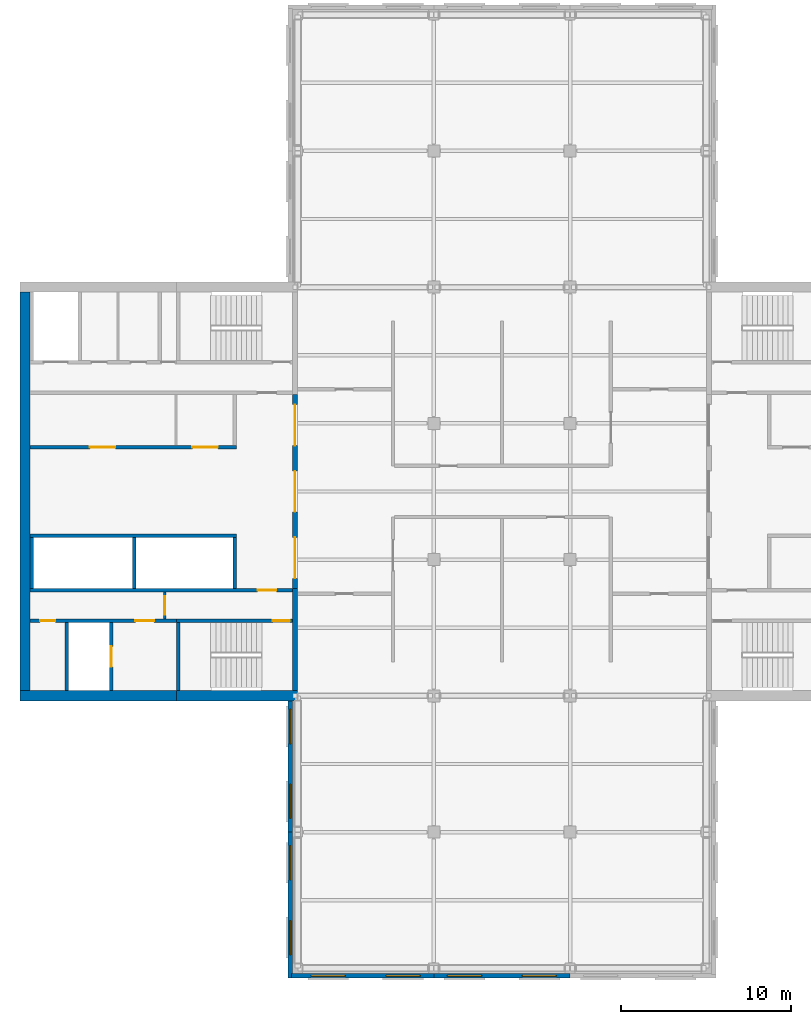
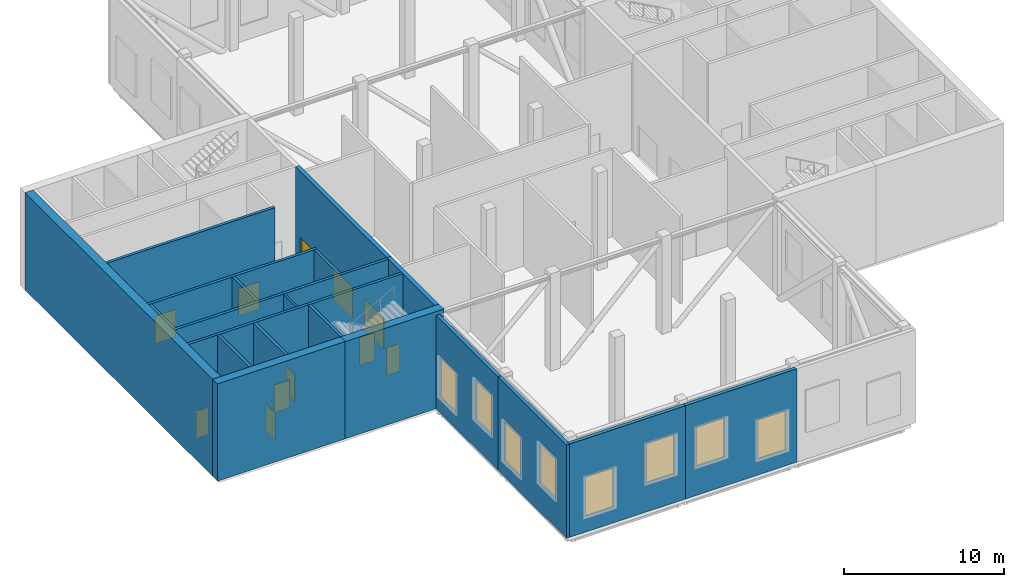
# One storey, part 3 of 10: 21 walls, 11 doors, 8 windows, 19 openings.
"""IFC4 building model written with IfcOpenShell, lengths in metres."""

from ifc_helpers import new_model, si_unit, direction, frame, frame_2d, origin, place, context, subcontext, project, spatial, rectangle, extrude, material, layer, layer_set, constituent, constituent_set, type_object, element, fill, save


model = new_model("IFC4")

# Units and contexts
model_context = context("Model", 3, precision=1e-05, world=origin(), true_north=direction((0.0, 1.0)))
body_context = subcontext(model_context, "Body", "Model", "MODEL_VIEW")
ifc_project = project(units=[si_unit("LENGTHUNIT", "METRE"), si_unit("AREAUNIT", "SQUARE_METRE"), si_unit("VOLUMEUNIT", "CUBIC_METRE"), si_unit("PLANEANGLEUNIT", "RADIAN"), si_unit("MASSUNIT", "GRAM", prefix="KILO")], contexts=[model_context])

# Site, building, storey
site_placement = place(None, origin())
site = spatial("IfcSite", under=ifc_project, at=site_placement, CompositionType="ELEMENT")
building_placement = place(site_placement, origin())
building = spatial("IfcBuilding", under=site, at=building_placement, Name="Crosswind Convention Tower", CompositionType="ELEMENT")
storey_placement = place(building_placement, frame((0.0, 0.0, 237.699951171875)))
storey = spatial("IfcBuildingStorey", under=building, at=storey_placement, Name="L51", CompositionType="ELEMENT", Elevation=237.699951171875)

# Wall, openings, doors
ifc_material_1 = material(Name="Concrete C50/60", Category="concrete")
ifc_layer_1 = layer(ifc_material_1, 0.300048828125)
ifc_layer_set_1 = layer_set([ifc_layer_1], Name="Concrete C50/60")
wall_type_1 = type_object("IfcWallType", Name="Concrete inner core wall 300", PredefinedType="SHEAR", material=ifc_layer_set_1)
wall_1_placement = place(storey_placement, frame((112.85009765625, 105.699951171875, 0.0), z_axis=(0.0, 0.0, 1.0), x_axis=(0.0, -1.0, 0.0)))
wall_1 = element("IfcWall", 1, at=wall_1_placement, inside=storey, type_object=wall_type_1, Name="Wall SCR W L51", PredefinedType="SHEAR", context=body_context, shape_type="SweptSolid", body=[
    extrude(rectangle(XDim=11.39990234375, YDim=0.300048828125, at=frame_2d((5.699951171875, 0.0))), origin(), (0.0, 0.0, 1.0), 7.400146484375),
])
opening_1_placement = place(wall_1_placement, frame((0.60009765625, 0.0, 0.0)))
opening_1 = element("IfcOpeningElement", 2, at=opening_1_placement, cuts=wall_1, Name="Opening D100", PredefinedType="OPENING", context=body_context, shape_type="SweptSolid", body=[
    extrude(rectangle(XDim=2.39990234375, YDim=2.39990234375, at=frame_2d((1.199951171875, 1.199951171875))), frame((0.0, 0.159912109375, 0.0), z_axis=(0.0, -1.0, 0.0), x_axis=(1.0, 0.0, 0.0)), (0.0, 0.0, 1.0), 0.320068359375),
])
opening_2_placement = place(wall_1_placement, frame((4.5, 0.0, 0.0)))
opening_2 = element("IfcOpeningElement", 3, at=opening_2_placement, cuts=wall_1, Name="Opening D100", PredefinedType="OPENING", context=body_context, shape_type="SweptSolid", body=[
    extrude(rectangle(XDim=2.39990234375, YDim=2.39990234375, at=frame_2d((1.199951171875, 1.199951171875))), frame((0.0, 0.159912109375, 0.0), z_axis=(0.0, -1.0, 0.0), x_axis=(1.0, 0.0, 0.0)), (0.0, 0.0, 1.0), 0.320068359375),
])
opening_3_placement = place(wall_1_placement, frame((8.39990234375, 0.0, 0.0)))
opening_3 = element("IfcOpeningElement", 4, at=opening_3_placement, cuts=wall_1, Name="Opening D100", PredefinedType="OPENING", context=body_context, shape_type="SweptSolid", body=[
    extrude(rectangle(XDim=2.39990234375, YDim=2.39990234375, at=frame_2d((1.199951171875, 1.199951171875))), frame((0.0, 0.159912109375, 0.0), z_axis=(0.0, -1.0, 0.0), x_axis=(1.0, 0.0, 0.0)), (0.0, 0.0, 1.0), 0.320068359375),
])
ifc_material_2 = material(Name="Steel fire door with glazed vision panels", Category="steel")
door_type_1 = type_object("IfcDoorType", Name="Fire-rated double door 2400x2400", OperationType="DOUBLE_DOOR_SINGLE_SWING", PredefinedType="DOOR", material=ifc_material_2)
door_1_placement = place(opening_1_placement, origin())
door_1 = element("IfcDoor", 5, at=door_1_placement, inside=storey, type_object=door_type_1, Name="Lobby door 1 L51", ObjectType="D100", OperationType="DOUBLE_DOOR_SINGLE_SWING", OverallHeight=2.39990234375, OverallWidth=2.39990234375, PredefinedType="DOOR", context=body_context, shape_type="SweptSolid", body=[
    extrude(rectangle(XDim=2.39990234375, YDim=2.39990234375, at=frame_2d((1.199951171875, 1.199951171875))), frame((0.0, 0.02490234375, 0.0), z_axis=(0.0, -1.0, 0.0), x_axis=(1.0, 0.0, 0.0)), (0.0, 0.0, 1.0), 0.050048828125),
])
fill(opening_1, door_1)
door_2_placement = place(opening_2_placement, origin())
door_2 = element("IfcDoor", 6, at=door_2_placement, inside=storey, type_object=door_type_1, Name="Lobby door 2 L51", ObjectType="D100", OperationType="DOUBLE_DOOR_SINGLE_SWING", OverallHeight=2.39990234375, OverallWidth=2.39990234375, PredefinedType="DOOR", context=body_context, shape_type="SweptSolid", body=[
    extrude(rectangle(XDim=2.39990234375, YDim=2.39990234375, at=frame_2d((1.199951171875, 1.199951171875))), frame((0.0, 0.02490234375, 0.0), z_axis=(0.0, -1.0, 0.0), x_axis=(1.0, 0.0, 0.0)), (0.0, 0.0, 1.0), 0.050048828125),
])
fill(opening_2, door_2)
door_3_placement = place(opening_3_placement, origin())
door_3 = element("IfcDoor", 7, at=door_3_placement, inside=storey, type_object=door_type_1, Name="Lobby door 3 L51", ObjectType="D100", OperationType="DOUBLE_DOOR_SINGLE_SWING", OverallHeight=2.39990234375, OverallWidth=2.39990234375, PredefinedType="DOOR", context=body_context, shape_type="SweptSolid", body=[
    extrude(rectangle(XDim=2.39990234375, YDim=2.39990234375, at=frame_2d((1.199951171875, 1.199951171875))), frame((0.0, 0.02490234375, 0.0), z_axis=(0.0, -1.0, 0.0), x_axis=(1.0, 0.0, 0.0)), (0.0, 0.0, 1.0), 0.050048828125),
])
fill(opening_3, door_3)

# Walls
wall_2_placement = place(storey_placement, frame((112.85009765625, 94.300048828125, 0.0), z_axis=(0.0, 0.0, 1.0), x_axis=(0.0, -1.0, 0.0)))
element("IfcWall", 8, at=wall_2_placement, inside=storey, type_object=wall_type_1, Name="Wall EP W L51", PredefinedType="SHEAR", context=body_context, shape_type="SweptSolid", body=[
    extrude(rectangle(XDim=6.0, YDim=0.300048828125, at=frame_2d((3.0, 0.0))), origin(), (0.0, 0.0, 1.0), 7.400146484375),
])
ifc_layer_2 = layer(ifc_material_1, 0.199951171875)
ifc_layer_set_2 = layer_set([ifc_layer_2], Name="Concrete C50/60")
wall_type_2 = type_object("IfcWallType", Name="Concrete shaft and stair wall 200", PredefinedType="SHEAR", material=ifc_layer_set_2)
for number, where, z_axis, x_axis, name in (
    (9, (109.300048828125, 97.300048828125, 0.0), (0.0, 0.0, 1.0), (0.0, -1.0, 0.0), "Wall RPEND W L51"),
    (10, (103.39990234375, 97.300048828125, 0.0), (0.0, 0.0, 1.0), (0.0, -1.0, 0.0), "Wall RPSEP W L51"),
    (11, (97.39990234375, 97.300048828125, 0.0), (0.0, 0.0, 1.0), (0.0, -1.0, 0.0), "Wall RPEAST W L51"),
):
    element("IfcWall", number, at=place(storey_placement, frame(where, z_axis=z_axis, x_axis=x_axis)), inside=storey, type_object=wall_type_2, Name=name, PredefinedType="SHEAR", context=body_context, shape_type="SweptSolid", body=[
        extrude(rectangle(XDim=3.0, YDim=0.199951171875, at=frame_2d((1.5, 0.0))), origin(), (0.0, 0.0, 1.0), 7.400146484375),
    ])
wall_3_placement = place(storey_placement, frame((109.39990234375, 97.39990234375, 0.0), z_axis=(0.0, 0.0, 1.0), x_axis=(-1.0, 0.0, 0.0)))
element("IfcWall", 12, at=wall_3_placement, inside=storey, type_object=wall_type_2, Name="Wall RPFRONT W L51", PredefinedType="SHEAR", context=body_context, shape_type="SweptSolid", body=[
    extrude(rectangle(XDim=12.099853515625, YDim=0.199951171875, at=frame_2d((6.0498046875, 0.0))), origin(), (0.0, 0.0, 1.0), 7.400146484375),
])

# Wall, openings, doors
wall_4_placement = place(storey_placement, frame((109.39990234375, 102.60009765625, 0.0), z_axis=(0.0, 0.0, 1.0), x_axis=(-1.0, 0.0, 0.0)))
wall_4 = element("IfcWall", 13, at=wall_4_placement, inside=storey, type_object=wall_type_2, Name="Wall RMFRONT W L51", PredefinedType="SHEAR", context=body_context, shape_type="SweptSolid", body=[
    extrude(rectangle(XDim=12.099853515625, YDim=0.199951171875, at=frame_2d((6.0498046875, 0.0))), origin(), (0.0, 0.0, 1.0), 7.400146484375),
])
opening_4_placement = place(wall_4_placement, frame((1.084716796875, 0.0, 0.0)))
opening_4 = element("IfcOpeningElement", 14, at=opening_4_placement, cuts=wall_4, Name="Opening D108", PredefinedType="OPENING", context=body_context, shape_type="SweptSolid", body=[
    extrude(rectangle(XDim=1.5, YDim=2.10009765625, at=frame_2d((0.75, 1.050048828125))), frame((0.0, 0.10986328125, 0.0), z_axis=(0.0, -1.0, 0.0), x_axis=(1.0, 0.0, 0.0)), (0.0, 0.0, 1.0), 0.219970703125),
])
opening_5_placement = place(wall_4_placement, frame((7.09716796875, 0.0, 0.0)))
opening_5 = element("IfcOpeningElement", 15, at=opening_5_placement, cuts=wall_4, Name="Opening D108", PredefinedType="OPENING", context=body_context, shape_type="SweptSolid", body=[
    extrude(rectangle(XDim=1.5, YDim=2.10009765625, at=frame_2d((0.75, 1.050048828125))), frame((0.0, 0.10986328125, 0.0), z_axis=(0.0, -1.0, 0.0), x_axis=(1.0, 0.0, 0.0)), (0.0, 0.0, 1.0), 0.219970703125),
])
ifc_material_3 = material(Name="Steel fire door", Category="steel")
door_type_2 = type_object("IfcDoorType", Name="Plant room double door 1500x2100", OperationType="DOUBLE_DOOR_SINGLE_SWING", PredefinedType="DOOR", material=ifc_material_3)
door_4_placement = place(opening_4_placement, frame((1.5, 0.0, 0.0), z_axis=(0.0, 0.0, 1.0), x_axis=(-1.0, 0.0, 0.0)))
door_4 = element("IfcDoor", 16, at=door_4_placement, inside=storey, type_object=door_type_2, Name="Door to plant room L51", ObjectType="D108", OperationType="DOUBLE_DOOR_SINGLE_SWING", OverallHeight=2.10009765625, OverallWidth=1.5, PredefinedType="DOOR", context=body_context, shape_type="SweptSolid", body=[
    extrude(rectangle(XDim=1.5, YDim=2.10009765625, at=frame_2d((0.75, 1.050048828125))), frame((0.0, 0.02490234375, 0.0), z_axis=(0.0, -1.0, 0.0), x_axis=(1.0, 0.0, 0.0)), (0.0, 0.0, 1.0), 0.050048828125),
])
fill(opening_4, door_4)
door_5_placement = place(opening_5_placement, frame((1.5, 0.0, 0.0), z_axis=(0.0, 0.0, 1.0), x_axis=(-1.0, 0.0, 0.0)))
door_5 = element("IfcDoor", 17, at=door_5_placement, inside=storey, type_object=door_type_2, Name="Door to electrical plant room L51", ObjectType="D108", OperationType="DOUBLE_DOOR_SINGLE_SWING", OverallHeight=2.10009765625, OverallWidth=1.5, PredefinedType="DOOR", context=body_context, shape_type="SweptSolid", body=[
    extrude(rectangle(XDim=1.5, YDim=2.10009765625, at=frame_2d((0.75, 1.050048828125))), frame((0.0, 0.02490234375, 0.0), z_axis=(0.0, -1.0, 0.0), x_axis=(1.0, 0.0, 0.0)), (0.0, 0.0, 1.0), 0.050048828125),
])
fill(opening_5, door_5)

# Wall, opening, door
wall_5_placement = place(storey_placement, frame((112.699951171875, 94.199951171875, 0.0), z_axis=(0.0, 0.0, 1.0), x_axis=(-1.0, 0.0, 0.0)))
wall_5 = element("IfcWall", 18, at=wall_5_placement, inside=storey, type_object=wall_type_2, Name="Wall HP W L51", PredefinedType="SHEAR", context=body_context, shape_type="SweptSolid", body=[
    extrude(rectangle(XDim=15.39990234375, YDim=0.199951171875, at=frame_2d((7.699951171875, 0.0))), origin(), (0.0, 0.0, 1.0), 7.400146484375),
])
opening_6_placement = place(wall_5_placement, frame((0.949951171875, 0.0, 0.0)))
opening_6 = element("IfcOpeningElement", 19, at=opening_6_placement, cuts=wall_5, Name="Opening D104", PredefinedType="OPENING", context=body_context, shape_type="SweptSolid", body=[
    extrude(rectangle(XDim=1.10009765625, YDim=2.10009765625, at=frame_2d((0.550048828125, 1.050048828125))), frame((0.0, 0.10986328125, 0.0), z_axis=(0.0, -1.0, 0.0), x_axis=(1.0, 0.0, 0.0)), (0.0, 0.0, 1.0), 0.219970703125),
])
door_type_3 = type_object("IfcDoorType", Name="Fire-rated single door 1100x2100", OperationType="NOTDEFINED", PredefinedType="DOOR", material=ifc_material_3)
door_6_placement = place(opening_6_placement, origin())
door_6 = element("IfcDoor", 20, at=door_6_placement, inside=storey, type_object=door_type_3, Name="Corridor door L51", ObjectType="D104", OperationType="SINGLE_SWING_LEFT", OverallHeight=2.10009765625, OverallWidth=1.10009765625, PredefinedType="DOOR", context=body_context, shape_type="SweptSolid", body=[
    extrude(rectangle(XDim=1.10009765625, YDim=2.10009765625, at=frame_2d((0.550048828125, 1.050048828125))), frame((0.0, 0.02490234375, 0.0), z_axis=(0.0, -1.0, 0.0), x_axis=(1.0, 0.0, 0.0)), (0.0, 0.0, 1.0), 0.050048828125),
])
fill(opening_6, door_6)

# Wall
wall_6_placement = place(storey_placement, frame((106.0, 92.300048828125, 0.0), z_axis=(0.0, 0.0, 1.0), x_axis=(0.0, -1.0, 0.0)))
element("IfcWall", 21, at=wall_6_placement, inside=storey, type_object=wall_type_2, Name="Wall PSE W L51", PredefinedType="SHEAR", context=body_context, shape_type="SweptSolid", body=[
    extrude(rectangle(XDim=4.0, YDim=0.199951171875, at=frame_2d((2.0, 0.0))), origin(), (0.0, 0.0, 1.0), 7.400146484375),
])

# Wall, opening, door
wall_7_placement = place(storey_placement, frame((102.050048828125, 92.300048828125, 0.0), z_axis=(0.0, 0.0, 1.0), x_axis=(0.0, -1.0, 0.0)))
wall_7 = element("IfcWall", 22, at=wall_7_placement, inside=storey, type_object=wall_type_2, Name="Wall PFLW W L51", PredefinedType="SHEAR", context=body_context, shape_type="SweptSolid", body=[
    extrude(rectangle(XDim=4.0, YDim=0.199951171875, at=frame_2d((2.0, 0.0))), origin(), (0.0, 0.0, 1.0), 7.400146484375),
])
opening_7_placement = place(wall_7_placement, frame((1.39990234375, 0.0, 0.0)))
opening_7 = element("IfcOpeningElement", 23, at=opening_7_placement, cuts=wall_7, Name="Opening LD1", PredefinedType="OPENING", context=body_context, shape_type="SweptSolid", body=[
    extrude(rectangle(XDim=1.199951171875, YDim=2.10009765625, at=frame_2d((0.60009765625, 1.050048828125))), frame((0.0, 0.10986328125, 0.0), z_axis=(0.0, -1.0, 0.0), x_axis=(1.0, 0.0, 0.0)), (0.0, 0.0, 1.0), 0.219970703125),
])
ifc_material_4 = material(Name="Stainless steel", Category="steel")
door_type_4 = type_object("IfcDoorType", Name="Lift landing door 1200x2100", OperationType="DOUBLE_DOOR_SLIDING", PredefinedType="DOOR", material=ifc_material_4)
door_7_placement = place(opening_7_placement, origin())
door_7 = element("IfcDoor", 24, at=door_7_placement, inside=storey, type_object=door_type_4, Name="Landing door FF2 L51", ObjectType="LD1", OperationType="DOUBLE_DOOR_SLIDING", OverallHeight=2.10009765625, OverallWidth=1.199951171875, PredefinedType="DOOR", context=body_context, shape_type="SweptSolid", body=[
    extrude(rectangle(XDim=1.199951171875, YDim=2.10009765625, at=frame_2d((0.60009765625, 1.050048828125))), frame((0.0, 0.02490234375, 0.0), z_axis=(0.0, -1.0, 0.0), x_axis=(1.0, 0.0, 0.0)), (0.0, 0.0, 1.0), 0.050048828125),
])
fill(opening_7, door_7)

# Wall
wall_8_placement = place(storey_placement, frame((99.449951171875, 92.300048828125, 0.0), z_axis=(0.0, 0.0, 1.0), x_axis=(0.0, -1.0, 0.0)))
element("IfcWall", 25, at=wall_8_placement, inside=storey, type_object=wall_type_2, Name="Wall PFSE W L51", PredefinedType="SHEAR", context=body_context, shape_type="SweptSolid", body=[
    extrude(rectangle(XDim=4.0, YDim=0.199951171875, at=frame_2d((2.0, 0.0))), origin(), (0.0, 0.0, 1.0), 7.400146484375),
])

# Wall, opening, door
wall_9_placement = place(storey_placement, frame((112.699951171875, 92.39990234375, 0.0), z_axis=(0.0, 0.0, 1.0), x_axis=(-1.0, 0.0, 0.0)))
wall_9 = element("IfcWall", 26, at=wall_9_placement, inside=storey, type_object=wall_type_2, Name="Wall PCW W L51", PredefinedType="SHEAR", context=body_context, shape_type="SweptSolid", body=[
    extrude(rectangle(XDim=6.800048828125, YDim=0.199951171875, at=frame_2d((3.39990234375, 0.0))), origin(), (0.0, 0.0, 1.0), 7.400146484375),
])
opening_8_placement = place(wall_9_placement, frame((0.14990234375, 0.0, 0.0)))
opening_8 = element("IfcOpeningElement", 27, at=opening_8_placement, cuts=wall_9, Name="Opening D103", PredefinedType="OPENING", context=body_context, shape_type="SweptSolid", body=[
    extrude(rectangle(XDim=1.0, YDim=2.10009765625, at=frame_2d((0.5, 1.050048828125))), frame((0.0, 0.10986328125, 0.0), z_axis=(0.0, -1.0, 0.0), x_axis=(1.0, 0.0, 0.0)), (0.0, 0.0, 1.0), 0.219970703125),
])
door_type_5 = type_object("IfcDoorType", Name="Fire-rated single door 1000x2100", OperationType="NOTDEFINED", PredefinedType="DOOR", material=ifc_material_3)
door_8_placement = place(opening_8_placement, origin())
door_8 = element("IfcDoor", 28, at=door_8_placement, inside=storey, type_object=door_type_5, Name="Stair ST3 door L51", ObjectType="D103", OperationType="SINGLE_SWING_LEFT", OverallHeight=2.10009765625, OverallWidth=1.0, PredefinedType="DOOR", context=body_context, shape_type="SweptSolid", body=[
    extrude(rectangle(XDim=1.0, YDim=2.10009765625, at=frame_2d((0.5, 1.050048828125))), frame((0.0, 0.02490234375, 0.0), z_axis=(0.0, -1.0, 0.0), x_axis=(1.0, 0.0, 0.0)), (0.0, 0.0, 1.0), 0.050048828125),
])
fill(opening_8, door_8)

# Wall, openings, doors
wall_10_placement = place(storey_placement, frame((105.89990234375, 92.39990234375, 0.0), z_axis=(0.0, 0.0, 1.0), x_axis=(-1.0, 0.0, 0.0)))
wall_10 = element("IfcWall", 29, at=wall_10_placement, inside=storey, type_object=wall_type_2, Name="Wall PCX W L51", PredefinedType="SHEAR", context=body_context, shape_type="SweptSolid", body=[
    extrude(rectangle(XDim=8.599853515625, YDim=0.199951171875, at=frame_2d((4.2998046875, 0.0))), origin(), (0.0, 0.0, 1.0), 7.400146484375),
])
opening_9_placement = place(wall_10_placement, frame((1.324951171875, 0.0, 0.0)))
opening_9 = element("IfcOpeningElement", 30, at=opening_9_placement, cuts=wall_10, Name="Opening D104", PredefinedType="OPENING", context=body_context, shape_type="SweptSolid", body=[
    extrude(rectangle(XDim=1.10009765625, YDim=2.10009765625, at=frame_2d((0.550048828125, 1.050048828125))), frame((0.0, 0.10986328125, 0.0), z_axis=(0.0, -1.0, 0.0), x_axis=(1.0, 0.0, 0.0)), (0.0, 0.0, 1.0), 0.219970703125),
])
opening_10_placement = place(wall_10_placement, frame((7.125, 0.0, 0.0)))
opening_10 = element("IfcOpeningElement", 31, at=opening_10_placement, cuts=wall_10, Name="Opening D106", PredefinedType="OPENING", context=body_context, shape_type="SweptSolid", body=[
    extrude(rectangle(XDim=0.89990234375, YDim=2.10009765625, at=frame_2d((0.449951171875, 1.050048828125))), frame((0.0, 0.10986328125, 0.0), z_axis=(0.0, -1.0, 0.0), x_axis=(1.0, 0.0, 0.0)), (0.0, 0.0, 1.0), 0.219970703125),
])
door_9_placement = place(opening_9_placement, origin())
door_9 = element("IfcDoor", 32, at=door_9_placement, inside=storey, type_object=door_type_3, Name="Fire-fighting lobby FF2 door L51", ObjectType="D104", OperationType="SINGLE_SWING_RIGHT", OverallHeight=2.10009765625, OverallWidth=1.10009765625, PredefinedType="DOOR", context=body_context, shape_type="SweptSolid", body=[
    extrude(rectangle(XDim=1.10009765625, YDim=2.10009765625, at=frame_2d((0.550048828125, 1.050048828125))), frame((0.0, 0.02490234375, 0.0), z_axis=(0.0, -1.0, 0.0), x_axis=(1.0, 0.0, 0.0)), (0.0, 0.0, 1.0), 0.050048828125),
])
fill(opening_9, door_9)
ifc_material_5 = material(Name="Timber door", Category="wood")
door_type_6 = type_object("IfcDoorType", Name="Single leaf door 900x2100", OperationType="NOTDEFINED", PredefinedType="DOOR", material=ifc_material_5)
door_10_placement = place(opening_10_placement, origin())
door_10 = element("IfcDoor", 33, at=door_10_placement, inside=storey, type_object=door_type_6, Name="Door to pump room L51", ObjectType="D106", OperationType="SINGLE_SWING_RIGHT", OverallHeight=2.10009765625, OverallWidth=0.89990234375, PredefinedType="DOOR", context=body_context, shape_type="SweptSolid", body=[
    extrude(rectangle(XDim=0.89990234375, YDim=2.10009765625, at=frame_2d((0.449951171875, 1.050048828125))), frame((0.0, 0.02490234375, 0.0), z_axis=(0.0, -1.0, 0.0), x_axis=(1.0, 0.0, 0.0)), (0.0, 0.0, 1.0), 0.050048828125),
])
fill(opening_10, door_10)

# Wall, opening, door
ifc_material_6 = material(Name="Gypsum plasterboard partition", Category="gypsum")
ifc_layer_3 = layer(ifc_material_6, 0.125)
ifc_layer_set_3 = layer_set([ifc_layer_3], Name="Drywall partition wall 125")
wall_type_3 = type_object("IfcWallType", Name="Drywall partition wall 125", PredefinedType="PARTITIONING", material=ifc_layer_set_3)
wall_11_placement = place(storey_placement, frame((105.199951171875, 94.10009765625, 0.0), z_axis=(0.0, 0.0, 1.0), x_axis=(0.0, -1.0, 0.0)))
wall_11 = element("IfcWall", 34, at=wall_11_placement, inside=storey, type_object=wall_type_3, Name="Wall PXC1 W L51", PredefinedType="PARTITIONING", context=body_context, shape_type="SweptSolid", body=[
    extrude(rectangle(XDim=1.60009765625, YDim=0.125, at=frame_2d((0.800048828125, 0.0))), origin(), (0.0, 0.0, 1.0), 7.400146484375),
])
opening_11_placement = place(wall_11_placement, frame((0.25, 0.0, 0.0)))
opening_11 = element("IfcOpeningElement", 35, at=opening_11_placement, cuts=wall_11, Name="Opening D104", PredefinedType="OPENING", context=body_context, shape_type="SweptSolid", body=[
    extrude(rectangle(XDim=1.10009765625, YDim=2.10009765625, at=frame_2d((0.550048828125, 1.050048828125))), frame((0.0, 0.072509765625, 0.0), z_axis=(0.0, -1.0, 0.0), x_axis=(1.0, 0.0, 0.0)), (0.0, 0.0, 1.0), 0.14501953125),
])
door_11_placement = place(opening_11_placement, origin())
door_11 = element("IfcDoor", 36, at=door_11_placement, inside=storey, type_object=door_type_3, Name="Corridor smoke door L51", ObjectType="D104", OperationType="SINGLE_SWING_RIGHT", OverallHeight=2.10009765625, OverallWidth=1.10009765625, PredefinedType="DOOR", context=body_context, shape_type="SweptSolid", body=[
    extrude(rectangle(XDim=1.10009765625, YDim=2.10009765625, at=frame_2d((0.550048828125, 1.050048828125))), frame((0.0, 0.02490234375, 0.0), z_axis=(0.0, -1.0, 0.0), x_axis=(1.0, 0.0, 0.0)), (0.0, 0.0, 1.0), 0.050048828125),
])
fill(opening_11, door_11)

# Wall, openings, windows
ifc_material_7 = material(Name="Terracotta rainscreen", Category="ceramic")
ifc_layer_4 = layer(ifc_material_7, 0.02001953125)
ifc_material_8 = material(Name="Mineral wool insulation", Category="insulation")
ifc_layer_5 = layer(ifc_material_8, 0.10009765625)
ifc_material_9 = material(Name="Steel S355", Category="steel")
ifc_layer_6 = layer(ifc_material_9, 0.139892578125)
ifc_layer_set_4 = layer_set([ifc_layer_4, ifc_layer_5, ifc_layer_6], Name="Terracotta rainscreen, Mineral wool insulation, Steel S355")
wall_type_4 = type_object("IfcWallType", Name="TERRACOTTA PLANT WALL 260", PredefinedType="SOLIDWALL", material=ifc_layer_set_4)
wall_12_placement = place(storey_placement, frame((112.56494140625, 87.699951171875, 0.0), z_axis=(0.0, 0.0, 1.0), x_axis=(0.0, -1.0, 0.0)))
wall_12 = element("IfcWall", 37, at=wall_12_placement, inside=storey, type_object=wall_type_4, Name="Plant room wall L51 S-W.1-1", PredefinedType="SOLIDWALL", context=body_context, shape_type="SweptSolid", body=[
    extrude(rectangle(XDim=7.699951171875, YDim=0.260009765625, at=frame_2d((3.85009765625, 0.0))), origin(), (0.0, 0.0, 1.0), 7.10009765625),
])
opening_12_placement = place(wall_12_placement, frame((0.5, 0.0, 1.199951171875)))
opening_12 = element("IfcOpeningElement", 38, at=opening_12_placement, cuts=wall_12, Name="Opening W11", PredefinedType="OPENING", context=body_context, shape_type="SweptSolid", body=[
    extrude(rectangle(XDim=2.0, YDim=3.0, at=frame_2d((1.0, 1.5))), frame((0.0, 0.139892578125, 0.0), z_axis=(0.0, -1.0, 0.0), x_axis=(1.0, 0.0, 0.0)), (0.0, 0.0, 1.0), 0.280029296875),
])
opening_13_placement = place(wall_12_placement, frame((4.89990234375, 0.0, 2.199951171875)))
opening_13 = element("IfcOpeningElement", 39, at=opening_13_placement, cuts=wall_12, Name="Opening W11", PredefinedType="OPENING", context=body_context, shape_type="SweptSolid", body=[
    extrude(rectangle(XDim=2.0, YDim=3.0, at=frame_2d((1.0, 1.5))), frame((0.0, 0.139892578125, 0.0), z_axis=(0.0, -1.0, 0.0), x_axis=(1.0, 0.0, 0.0)), (0.0, 0.0, 1.0), 0.280029296875),
])
ifc_material_10 = material(Name="Aluminium louvre", Category="aluminium")
window_type = type_object("IfcWindowType", Name="LOUVRE VENT 2000X3000", PartitioningType="SINGLE_PANEL", PredefinedType="WINDOW", material=ifc_material_10)
window_1_placement = place(opening_12_placement, origin())
window_1 = element("IfcWindow", 40, at=window_1_placement, inside=storey, type_object=window_type, Name="W11 louvre vent L51 S-W.1-1.1", ObjectType="W11", OverallHeight=3.0, OverallWidth=2.0, PartitioningType="SINGLE_PANEL", PredefinedType="WINDOW", context=body_context, shape_type="SweptSolid", body=[
    extrude(rectangle(XDim=2.0, YDim=3.0, at=frame_2d((1.0, 1.5))), frame((0.0, 0.030029296875, 0.0), z_axis=(0.0, -1.0, 0.0), x_axis=(1.0, 0.0, 0.0)), (0.0, 0.0, 1.0), 0.06005859375),
])
fill(opening_12, window_1)
window_2_placement = place(opening_13_placement, origin())
window_2 = element("IfcWindow", 41, at=window_2_placement, inside=storey, type_object=window_type, Name="W11 louvre vent L51 S-W.1-1.2", ObjectType="W11", OverallHeight=3.0, OverallWidth=2.0, PartitioningType="SINGLE_PANEL", PredefinedType="WINDOW", context=body_context, shape_type="SweptSolid", body=[
    extrude(rectangle(XDim=2.0, YDim=3.0, at=frame_2d((1.0, 1.5))), frame((0.0, 0.030029296875, 0.0), z_axis=(0.0, -1.0, 0.0), x_axis=(1.0, 0.0, 0.0)), (0.0, 0.0, 1.0), 0.06005859375),
])
fill(opening_13, window_2)

wall_13_placement = place(storey_placement, frame((112.56494140625, 80.0, 0.0), z_axis=(0.0, 0.0, 1.0), x_axis=(0.0, -1.0, 0.0)))
wall_13 = element("IfcWall", 42, at=wall_13_placement, inside=storey, type_object=wall_type_4, Name="Plant room wall L51 S-W.1-2", PredefinedType="SOLIDWALL", context=body_context, shape_type="SweptSolid", body=[
    extrude(rectangle(XDim=8.56494140625, YDim=0.260009765625, at=frame_2d((4.282470703125, 0.0))), origin(), (0.0, 0.0, 1.0), 7.10009765625),
])
opening_14_placement = place(wall_13_placement, frame((0.800048828125, 0.0, 1.199951171875)))
opening_14 = element("IfcOpeningElement", 43, at=opening_14_placement, cuts=wall_13, Name="Opening W11", PredefinedType="OPENING", context=body_context, shape_type="SweptSolid", body=[
    extrude(rectangle(XDim=2.0, YDim=3.0, at=frame_2d((1.0, 1.5))), frame((0.0, 0.139892578125, 0.0), z_axis=(0.0, -1.0, 0.0), x_axis=(1.0, 0.0, 0.0)), (0.0, 0.0, 1.0), 0.280029296875),
])
opening_15_placement = place(wall_13_placement, frame((5.199951171875, 0.0, 2.199951171875)))
opening_15 = element("IfcOpeningElement", 44, at=opening_15_placement, cuts=wall_13, Name="Opening W11", PredefinedType="OPENING", context=body_context, shape_type="SweptSolid", body=[
    extrude(rectangle(XDim=2.0, YDim=3.0, at=frame_2d((1.0, 1.5))), frame((0.0, 0.139892578125, 0.0), z_axis=(0.0, -1.0, 0.0), x_axis=(1.0, 0.0, 0.0)), (0.0, 0.0, 1.0), 0.280029296875),
])
window_3_placement = place(opening_14_placement, origin())
window_3 = element("IfcWindow", 45, at=window_3_placement, inside=storey, type_object=window_type, Name="W11 louvre vent L51 S-W.1-2.1", ObjectType="W11", OverallHeight=3.0, OverallWidth=2.0, PartitioningType="SINGLE_PANEL", PredefinedType="WINDOW", context=body_context, shape_type="SweptSolid", body=[
    extrude(rectangle(XDim=2.0, YDim=3.0, at=frame_2d((1.0, 1.5))), frame((0.0, 0.030029296875, 0.0), z_axis=(0.0, -1.0, 0.0), x_axis=(1.0, 0.0, 0.0)), (0.0, 0.0, 1.0), 0.06005859375),
])
fill(opening_14, window_3)
window_4_placement = place(opening_15_placement, origin())
window_4 = element("IfcWindow", 46, at=window_4_placement, inside=storey, type_object=window_type, Name="W11 louvre vent L51 S-W.1-2.2", ObjectType="W11", OverallHeight=3.0, OverallWidth=2.0, PartitioningType="SINGLE_PANEL", PredefinedType="WINDOW", context=body_context, shape_type="SweptSolid", body=[
    extrude(rectangle(XDim=2.0, YDim=3.0, at=frame_2d((1.0, 1.5))), frame((0.0, 0.030029296875, 0.0), z_axis=(0.0, -1.0, 0.0), x_axis=(1.0, 0.0, 0.0)), (0.0, 0.0, 1.0), 0.06005859375),
])
fill(opening_15, window_4)

wall_14_placement = place(storey_placement, frame((112.64990234375, 71.56494140625, 0.0), z_axis=(0.0, 0.0, 1.0), x_axis=(1.0, 0.0, 0.0)))
wall_14 = element("IfcWall", 47, at=wall_14_placement, inside=storey, type_object=wall_type_4, Name="Plant room wall L51 S-TIP.1-1", PredefinedType="SOLIDWALL", context=body_context, shape_type="SweptSolid", body=[
    extrude(rectangle(XDim=8.35009765625, YDim=0.260009765625, at=frame_2d((4.175048828125, 0.0))), origin(), (0.0, 0.0, 1.0), 7.10009765625),
])
opening_16_placement = place(wall_14_placement, frame((1.14990234375, 0.0, 1.199951171875)))
opening_16 = element("IfcOpeningElement", 48, at=opening_16_placement, cuts=wall_14, Name="Opening W11", PredefinedType="OPENING", context=body_context, shape_type="SweptSolid", body=[
    extrude(rectangle(XDim=2.0, YDim=3.0, at=frame_2d((1.0, 1.5))), frame((0.0, 0.139892578125, 0.0), z_axis=(0.0, -1.0, 0.0), x_axis=(1.0, 0.0, 0.0)), (0.0, 0.0, 1.0), 0.280029296875),
])
opening_17_placement = place(wall_14_placement, frame((5.550048828125, 0.0, 2.199951171875)))
opening_17 = element("IfcOpeningElement", 49, at=opening_17_placement, cuts=wall_14, Name="Opening W11", PredefinedType="OPENING", context=body_context, shape_type="SweptSolid", body=[
    extrude(rectangle(XDim=2.0, YDim=3.0, at=frame_2d((1.0, 1.5))), frame((0.0, 0.139892578125, 0.0), z_axis=(0.0, -1.0, 0.0), x_axis=(1.0, 0.0, 0.0)), (0.0, 0.0, 1.0), 0.280029296875),
])
window_5_placement = place(opening_16_placement, origin())
window_5 = element("IfcWindow", 50, at=window_5_placement, inside=storey, type_object=window_type, Name="W11 louvre vent L51 S-TIP.1-1.1", ObjectType="W11", OverallHeight=3.0, OverallWidth=2.0, PartitioningType="SINGLE_PANEL", PredefinedType="WINDOW", context=body_context, shape_type="SweptSolid", body=[
    extrude(rectangle(XDim=2.0, YDim=3.0, at=frame_2d((1.0, 1.5))), frame((0.0, 0.030029296875, 0.0), z_axis=(0.0, -1.0, 0.0), x_axis=(1.0, 0.0, 0.0)), (0.0, 0.0, 1.0), 0.06005859375),
])
fill(opening_16, window_5)
window_6_placement = place(opening_17_placement, origin())
window_6 = element("IfcWindow", 51, at=window_6_placement, inside=storey, type_object=window_type, Name="W11 louvre vent L51 S-TIP.1-1.2", ObjectType="W11", OverallHeight=3.0, OverallWidth=2.0, PartitioningType="SINGLE_PANEL", PredefinedType="WINDOW", context=body_context, shape_type="SweptSolid", body=[
    extrude(rectangle(XDim=2.0, YDim=3.0, at=frame_2d((1.0, 1.5))), frame((0.0, 0.030029296875, 0.0), z_axis=(0.0, -1.0, 0.0), x_axis=(1.0, 0.0, 0.0)), (0.0, 0.0, 1.0), 0.06005859375),
])
fill(opening_17, window_6)

wall_15_placement = place(storey_placement, frame((121.0, 71.56494140625, 0.0), z_axis=(0.0, 0.0, 1.0), x_axis=(1.0, 0.0, 0.0)))
wall_15 = element("IfcWall", 52, at=wall_15_placement, inside=storey, type_object=wall_type_4, Name="Plant room wall L51 S-TIP.1-2", PredefinedType="SOLIDWALL", context=body_context, shape_type="SweptSolid", body=[
    extrude(rectangle(XDim=8.0, YDim=0.260009765625, at=frame_2d((4.0, 0.0))), origin(), (0.0, 0.0, 1.0), 7.10009765625),
])
opening_18_placement = place(wall_15_placement, frame((0.800048828125, 0.0, 2.199951171875)))
opening_18 = element("IfcOpeningElement", 53, at=opening_18_placement, cuts=wall_15, Name="Opening W11", PredefinedType="OPENING", context=body_context, shape_type="SweptSolid", body=[
    extrude(rectangle(XDim=2.0, YDim=3.0, at=frame_2d((1.0, 1.5))), frame((0.0, 0.139892578125, 0.0), z_axis=(0.0, -1.0, 0.0), x_axis=(1.0, 0.0, 0.0)), (0.0, 0.0, 1.0), 0.280029296875),
])
opening_19_placement = place(wall_15_placement, frame((5.199951171875, 0.0, 1.199951171875)))
opening_19 = element("IfcOpeningElement", 54, at=opening_19_placement, cuts=wall_15, Name="Opening W11", PredefinedType="OPENING", context=body_context, shape_type="SweptSolid", body=[
    extrude(rectangle(XDim=2.0, YDim=3.0, at=frame_2d((1.0, 1.5))), frame((0.0, 0.139892578125, 0.0), z_axis=(0.0, -1.0, 0.0), x_axis=(1.0, 0.0, 0.0)), (0.0, 0.0, 1.0), 0.280029296875),
])
window_7_placement = place(opening_18_placement, origin())
window_7 = element("IfcWindow", 55, at=window_7_placement, inside=storey, type_object=window_type, Name="W11 louvre vent L51 S-TIP.1-2.1", ObjectType="W11", OverallHeight=3.0, OverallWidth=2.0, PartitioningType="SINGLE_PANEL", PredefinedType="WINDOW", context=body_context, shape_type="SweptSolid", body=[
    extrude(rectangle(XDim=2.0, YDim=3.0, at=frame_2d((1.0, 1.5))), frame((0.0, 0.030029296875, 0.0), z_axis=(0.0, -1.0, 0.0), x_axis=(1.0, 0.0, 0.0)), (0.0, 0.0, 1.0), 0.06005859375),
])
fill(opening_18, window_7)
window_8_placement = place(opening_19_placement, origin())
window_8 = element("IfcWindow", 56, at=window_8_placement, inside=storey, type_object=window_type, Name="W11 louvre vent L51 S-TIP.1-2.2", ObjectType="W11", OverallHeight=3.0, OverallWidth=2.0, PartitioningType="SINGLE_PANEL", PredefinedType="WINDOW", context=body_context, shape_type="SweptSolid", body=[
    extrude(rectangle(XDim=2.0, YDim=3.0, at=frame_2d((1.0, 1.5))), frame((0.0, 0.030029296875, 0.0), z_axis=(0.0, -1.0, 0.0), x_axis=(1.0, 0.0, 0.0)), (0.0, 0.0, 1.0), 0.06005859375),
])
fill(opening_19, window_8)

# Walls
ifc_material_11 = material(Name="Concrete C60/75", Category="concrete")
ifc_constituent_1 = constituent(ifc_material_11, Name="Structure")
ifc_constituent_2 = constituent(ifc_material_7, Name="Facing")
ifc_constituent_set = constituent_set(constituents=[ifc_constituent_1, ifc_constituent_2], Name="Concrete C60/75, Terracotta rainscreen")
wall_type_5 = type_object("IfcWallType", Name="Terracotta rainscreen on concrete core wall 600", PredefinedType="SHEAR", material=ifc_constituent_set)
wall_16_placement = place(storey_placement, frame((113.0, 88.0, 0.0), z_axis=(0.0, 0.0, 1.0), x_axis=(-1.0, 0.0, 0.0)))
element("IfcWall", 57, at=wall_16_placement, inside=storey, type_object=wall_type_5, Name="Wall N1 W L51", PredefinedType="SHEAR", context=body_context, shape_type="SweptSolid", body=[
    extrude(rectangle(XDim=7.10009765625, YDim=0.60009765625, at=frame_2d((3.550048828125, 0.0))), origin(), (0.0, 0.0, 1.0), 7.400146484375),
])
wall_17_placement = place(storey_placement, frame((105.89990234375, 88.0, 0.0), z_axis=(0.0, 0.0, 1.0), x_axis=(-1.0, 0.0, 0.0)))
element("IfcWall", 58, at=wall_17_placement, inside=storey, type_object=wall_type_5, Name="Wall N2 W L51", PredefinedType="SHEAR", context=body_context, shape_type="SweptSolid", body=[
    extrude(rectangle(XDim=9.199951171875, YDim=0.60009765625, at=frame_2d((4.60009765625, 0.0))), origin(), (0.0, 0.0, 1.0), 7.400146484375),
])
wall_18_placement = place(storey_placement, frame((97.0, 111.699951171875, 0.0), z_axis=(0.0, 0.0, 1.0), x_axis=(0.0, -1.0, 0.0)))
element("IfcWall", 59, at=wall_18_placement, inside=storey, type_object=wall_type_5, Name="Wall O W L51", PredefinedType="SHEAR", context=body_context, shape_type="SweptSolid", body=[
    extrude(rectangle(XDim=23.39990234375, YDim=0.60009765625, at=frame_2d((11.699951171875, 0.0))), origin(), (0.0, 0.0, 1.0), 7.400146484375),
])

save(model, "model.ifc")
